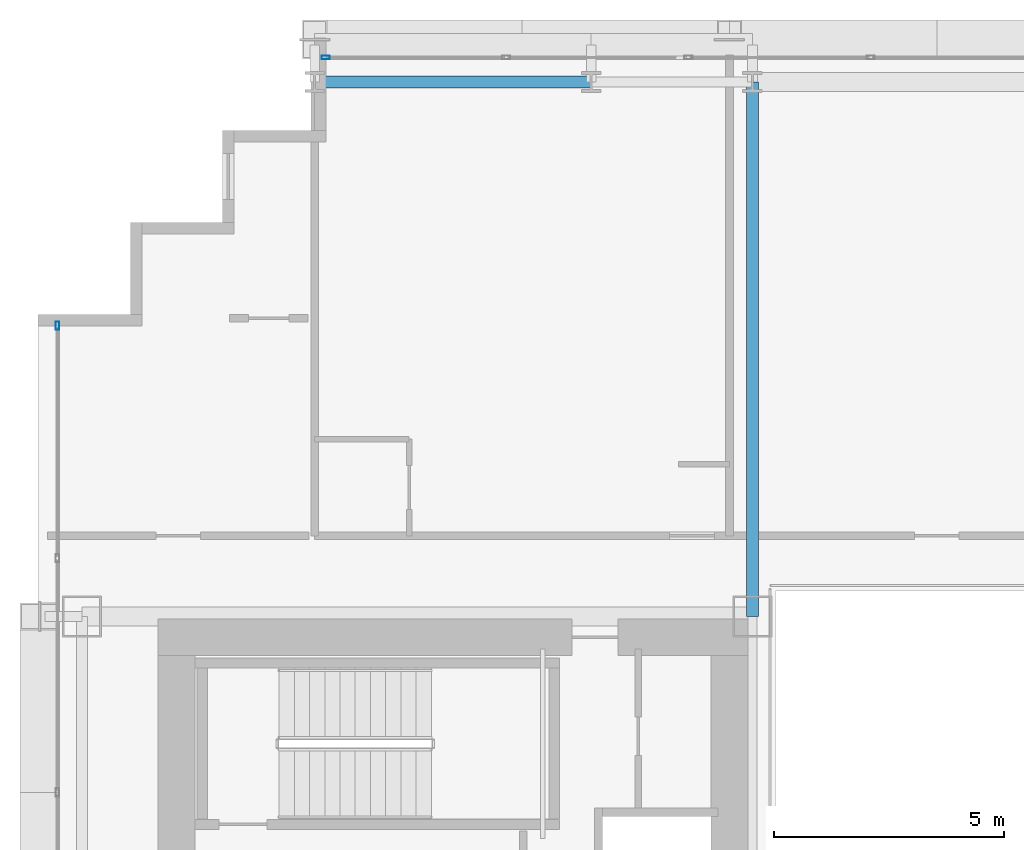
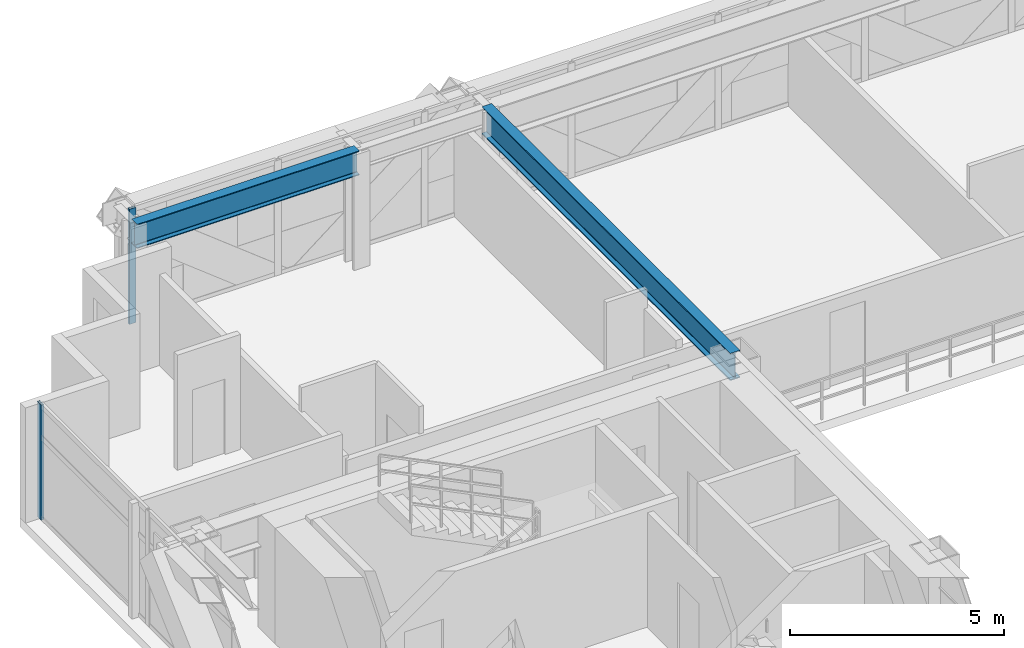
# One storey, part 17 of 35: 2 beams, 2 members, 2 elements without a shape of their own.
"""IFC4 building model written with IfcOpenShell, lengths in metres."""

from ifc_helpers import new_model, si_unit, direction, frame, origin, origin_2d, place, context, subcontext, project, spatial, hollow_rectangle, i_section, extrude, source, transform, mapped, material, layer, layer_set, material_profile, profile_set, type_object, element, aggregate, save


model = new_model("IFC4")

# Units and contexts
model_context = context("Model", 3, precision=1e-05, world=origin(), true_north=direction((0.0, 1.0)))
body_context = subcontext(model_context, "Body", "Model", "MODEL_VIEW")
ifc_project = project(units=[si_unit("LENGTHUNIT", "METRE"), si_unit("AREAUNIT", "SQUARE_METRE"), si_unit("VOLUMEUNIT", "CUBIC_METRE"), si_unit("PLANEANGLEUNIT", "RADIAN"), si_unit("MASSUNIT", "GRAM", prefix="KILO")], contexts=[model_context])

# Site, building, storey
site_placement = place(None, origin())
site = spatial("IfcSite", under=ifc_project, at=site_placement, CompositionType="ELEMENT")
building_placement = place(site_placement, origin())
building = spatial("IfcBuilding", under=site, at=building_placement, Name="Ocotamira Hotel", CompositionType="ELEMENT")
storey_placement = place(building_placement, frame((0.0, 0.0, 81.60009765625)))
storey = spatial("IfcBuildingStorey", under=building, at=storey_placement, Name="L20", CompositionType="ELEMENT", Elevation=81.60009765625)

# Beams
ifc_material_1 = material(Name="Steel ASTM A992 Grade 50", Category="steel")
ifc_material_profile_1 = material_profile(ifc_material_1, i_section(OverallWidth=0.256103515625, OverallDepth=0.693115234375, WebThickness=0.014404296875, FlangeThickness=0.023681640625, FilletRadius=0.01611328125, at=origin_2d()), Name="W27X114")
ifc_profile_set_1 = profile_set([ifc_material_profile_1], Name="Steel ASTM A992 Grade 50")
beam_type_1 = type_object("IfcBeamType", Name="BM-PRIM-W27X114", PredefinedType="BEAM", material=ifc_profile_set_1)
shared_shape_1 = source(origin(), body_context, "Body", "SweptSolid", [
    extrude(i_section(OverallWidth=0.256103515625, OverallDepth=0.693115234375, WebThickness=0.014404296875, FlangeThickness=0.023681640625, FilletRadius=0.01611328125, at=origin_2d()), origin(), (0.0, 0.0, 1.0), 6.0),
])
beam_1_placement = place(storey_placement, frame((14.0, 49.050048828125, 2.933349609375), z_axis=(1.0, 0.0, 0.0), x_axis=(0.0, 1.0, 0.0)))
element("IfcBeam", 1, at=beam_1_placement, inside=storey, type_object=beam_type_1, Name="L20 Girder Y49.05 X14-20", PredefinedType="BEAM", context=body_context, shape_type="MappedRepresentation", body=[
    mapped(shared_shape_1, transform((0.0, 0.0, 0.0), scale=1.0)),
])
ifc_material_profile_2 = material_profile(ifc_material_1, i_section(OverallWidth=0.26611328125, OverallDepth=0.779052734375, WebThickness=0.0166015625, FlangeThickness=0.030029296875, FilletRadius=0.01806640625, at=origin_2d()), Name="W30X148")
ifc_profile_set_2 = profile_set([ifc_material_profile_2], Name="Steel ASTM A992 Grade 50")
beam_type_2 = type_object("IfcBeamType", Name="BM-GIRD-W30X148", PredefinedType="BEAM", material=ifc_profile_set_2)
shared_shape_2 = source(origin(), body_context, "Body", "SweptSolid", [
    extrude(i_section(OverallWidth=0.26611328125, OverallDepth=0.779052734375, WebThickness=0.0166015625, FlangeThickness=0.030029296875, FilletRadius=0.01806640625, at=origin_2d()), origin(), (0.0, 0.0, 1.0), 11.60009765625),
])
beam_2_placement = place(storey_placement, frame((23.5, 37.449951171875, 2.890380859375), z_axis=(0.0, 1.0, 0.0), x_axis=(-1.0, 0.0, 0.0)))
element("IfcBeam", 2, at=beam_2_placement, inside=storey, type_object=beam_type_2, Name="L20 Beam X23.5 Y37.45-49.05", PredefinedType="BEAM", context=body_context, shape_type="MappedRepresentation", body=[
    mapped(shared_shape_2, transform((0.0, 0.0, 0.0), scale=1.0)),
])

# Curtain wall, member
ifc_material_2 = material(Name="Anodised pale-metal aluminium and solar glass", Category="aluminium")
ifc_layer = layer(ifc_material_2, 0.179931640625)
ifc_layer_set = layer_set([ifc_layer], Name="Anodised pale-metal aluminium and solar glass")
curtain_wall_type = type_object("IfcCurtainWallType", Name="CW-SYS2-Z1", PredefinedType="NOTDEFINED", material=ifc_layer_set)
curtain_wall_1_placement = place(storey_placement, origin())
curtain_wall_1 = element("IfcCurtainWall", 3, at=curtain_wall_1_placement, inside=storey, type_object=curtain_wall_type, Name="L20 Curtain Wall CW-2 CW-L20-N", PredefinedType="NOTDEFINED")
ifc_material_3 = material(Name="Anodised pale-metal aluminium 6063-T6", Category="aluminium")
ifc_material_profile_3 = material_profile(ifc_material_3, hollow_rectangle(XDim=0.080078125, YDim=0.179931640625, WallThickness=0.006103515625, at=origin_2d()), Name="HSS180X80X6")
ifc_profile_set_3 = profile_set([ifc_material_profile_3], Name="Anodised pale-metal aluminium 6063-T6")
member_type = type_object("IfcMemberType", Name="CWM-180X75", PredefinedType="MULLION", material=ifc_profile_set_3)
shared_shape_3 = source(origin(), body_context, "Body", "SweptSolid", [
    extrude(hollow_rectangle(XDim=0.080078125, YDim=0.179931640625, WallThickness=0.006103515625, at=origin_2d()), origin(), (0.0, 0.0, 1.0), 3.27978515625),
])
member_1_placement = place(storey_placement, frame((14.239990234375, 49.580078125, 0.0), z_axis=(0.0, 0.0, 1.0), x_axis=(0.0, 1.0, 0.0)))
member_1 = element("IfcMember", 4, at=member_1_placement, type_object=member_type, Name="CW-2 mullion 1", PredefinedType="MULLION", context=body_context, shape_type="MappedRepresentation", body=[
    mapped(shared_shape_3, transform((0.0, 0.0, 0.0), scale=1.0)),
])
aggregate(curtain_wall_1, [member_1])

curtain_wall_2_placement = place(storey_placement, origin())
curtain_wall_2 = element("IfcCurtainWall", 5, at=curtain_wall_2_placement, inside=storey, type_object=curtain_wall_type, Name="L20 Curtain Wall CW-2 CW-L20-W", PredefinedType="NOTDEFINED")
member_2_placement = place(storey_placement, frame((8.419921875, 43.760009765625, 0.0), z_axis=(0.0, 0.0, 1.0), x_axis=(-1.0, 0.0, 0.0)))
member_2 = element("IfcMember", 6, at=member_2_placement, type_object=member_type, Name="CW-2 mullion 8", PredefinedType="MULLION", context=body_context, shape_type="MappedRepresentation", body=[
    mapped(shared_shape_3, transform((0.0, 0.0, 0.0), scale=1.0)),
])
aggregate(curtain_wall_2, [member_2])

save(model, "model.ifc")
